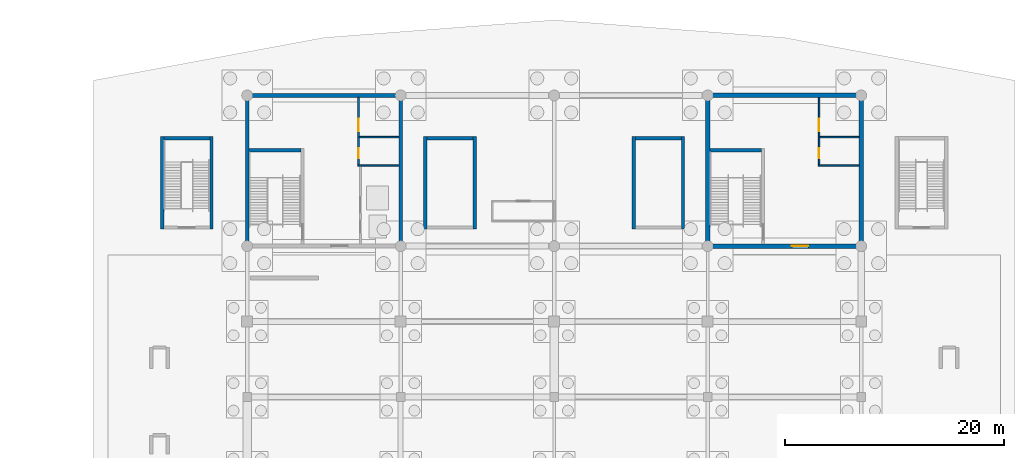
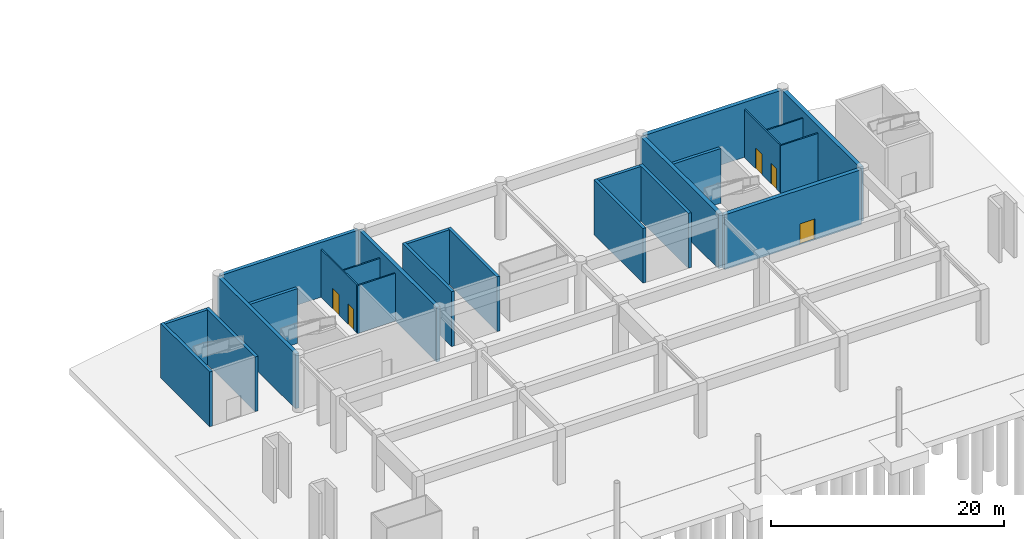
# One storey, part 49 of 62: 24 walls, 5 doors, 5 openings.
"""IFC4 building model written with IfcOpenShell, lengths in metres."""

from ifc_helpers import new_model, si_unit, direction, frame, frame_2d, origin, place, context, subcontext, project, spatial, rectangle, extrude, material, layer, layer_set, type_object, element, fill, save


model = new_model("IFC4")

# Units and contexts
model_context = context("Model", 3, precision=1e-05, world=origin(), true_north=direction((0.0, 1.0)))
body_context = subcontext(model_context, "Body", "Model", "MODEL_VIEW")
ifc_project = project(units=[si_unit("LENGTHUNIT", "METRE"), si_unit("AREAUNIT", "SQUARE_METRE"), si_unit("VOLUMEUNIT", "CUBIC_METRE"), si_unit("PLANEANGLEUNIT", "RADIAN"), si_unit("MASSUNIT", "GRAM", prefix="KILO")], contexts=[model_context])

# Site, building, storey
site_placement = place(None, origin())
site = spatial("IfcSite", under=ifc_project, at=site_placement, CompositionType="ELEMENT")
building_placement = place(site_placement, origin())
building = spatial("IfcBuilding", under=site, at=building_placement, Name="Linyun Crest Stadium", CompositionType="ELEMENT")
storey_placement = place(building_placement, frame((0.0, 0.0, -6.0)))
storey = spatial("IfcBuildingStorey", under=building, at=storey_placement, Name="B1", CompositionType="ELEMENT", Elevation=-6.0)

# Walls
ifc_material_1 = material(Name="Concrete C50", Category="concrete")
ifc_layer_1 = layer(ifc_material_1, 0.35009765625)
ifc_layer_set_1 = layer_set([ifc_layer_1], Name="Concrete C50")
wall_type_1 = type_object("IfcWallType", Name="CW01", PredefinedType="SHEAR", material=ifc_layer_set_1)
for number, where, z_axis, x_axis, name in (
    (1, (-28.0, 91.675048828125, 0.0), (0.0, 0.0, 1.0), (0.0, 1.0, 0.0), "Core shear wall CW01 CORE-N1 B1.1"),
    (2, (-14.0, 91.675048828125, 0.0), (0.0, 0.0, 1.0), (0.0, 1.0, 0.0), "Core shear wall CW01 CORE-N1 B1.2"),
):
    element("IfcWall", number, at=place(storey_placement, frame(where, z_axis=z_axis, x_axis=x_axis)), inside=storey, type_object=wall_type_1, Name=name, PredefinedType="SHEAR", context=body_context, shape_type="SweptSolid", body=[
        extrude(rectangle(XDim=13.39990234375, YDim=0.35009765625, at=frame_2d((6.699951171875, 0.0))), origin(), (0.0, 0.0, 1.0), 5.75),
    ])
wall_1_placement = place(storey_placement, frame((-27.824951171875, 105.25, 0.0), z_axis=(0.0, 0.0, 1.0), x_axis=(1.0, 0.0, 0.0)))
element("IfcWall", 3, at=wall_1_placement, inside=storey, type_object=wall_type_1, Name="Core shear wall CW01 CORE-N1 B1.4", PredefinedType="SHEAR", context=body_context, shape_type="SweptSolid", body=[
    extrude(rectangle(XDim=13.64990234375, YDim=0.35009765625, at=frame_2d((6.824951171875, 0.0))), origin(), (0.0, 0.0, 1.0), 5.75),
])
ifc_material_2 = material(Name="Concrete C50", Category="concrete")
ifc_layer_2 = layer(ifc_material_2, 0.39990234375)
ifc_layer_set_2 = layer_set([ifc_layer_2], Name="Concrete C50")
wall_type_2 = type_object("IfcWallType", Name="CW02", PredefinedType="SHEAR", material=ifc_layer_set_2)
for number, where, z_axis, x_axis, name in (
    (4, (14.0, 91.699951171875, 0.0), (0.0, 0.0, 1.0), (0.0, 1.0, 0.0), "Core shear wall CW02 CORE-N2 B1.1"),
    (5, (28.0, 91.699951171875, 0.0), (0.0, 0.0, 1.0), (0.0, 1.0, 0.0), "Core shear wall CW02 CORE-N2 B1.2"),
):
    element("IfcWall", number, at=place(storey_placement, frame(where, z_axis=z_axis, x_axis=x_axis)), inside=storey, type_object=wall_type_2, Name=name, PredefinedType="SHEAR", context=body_context, shape_type="SweptSolid", body=[
        extrude(rectangle(XDim=13.35009765625, YDim=0.39990234375, at=frame_2d((6.675048828125, 0.0))), origin(), (0.0, 0.0, 1.0), 5.75),
    ])

# Wall, opening, door
wall_2_placement = place(storey_placement, frame((14.199951171875, 91.5, 0.0), z_axis=(0.0, 0.0, 1.0), x_axis=(1.0, 0.0, 0.0)))
wall_2 = element("IfcWall", 6, at=wall_2_placement, inside=storey, type_object=wall_type_2, Name="Core shear wall CW02 CORE-N2 B1.3", PredefinedType="SHEAR", context=body_context, shape_type="SweptSolid", body=[
    extrude(rectangle(XDim=13.60009765625, YDim=0.39990234375, at=frame_2d((6.800048828125, 0.0))), origin(), (0.0, 0.0, 1.0), 5.75),
])
opening_1_placement = place(wall_2_placement, frame((7.47998046875, 0.0, 0.0)))
opening_1 = element("IfcOpeningElement", 7, at=opening_1_placement, cuts=wall_2, Name="Opening D-B1-292", PredefinedType="OPENING", context=body_context, shape_type="SweptSolid", body=[
    extrude(rectangle(XDim=1.5, YDim=2.199951171875, at=frame_2d((0.75, 1.10009765625))), frame((0.0, 0.2099609375, 0.0), z_axis=(0.0, -1.0, 0.0), x_axis=(1.0, 0.0, 0.0)), (0.0, 0.0, 1.0), 0.419921875),
])
ifc_material_3 = material(Name="Galvanized steel Class A fire door", Category="steel")
ifc_layer_3 = layer(ifc_material_3, 0.054931640625)
ifc_layer_set_3 = layer_set([ifc_layer_3], Name="Galvanized steel Class A fire door")
door_type_1 = type_object("IfcDoorType", Name="FD01", OperationType="NOTDEFINED", PredefinedType="DOOR", material=ifc_layer_set_3)
door_1_placement = place(opening_1_placement, origin())
door_1 = element("IfcDoor", 8, at=door_1_placement, inside=storey, type_object=door_type_1, Name="Door D-B1-292", OperationType="SINGLE_SWING_RIGHT", OverallHeight=2.199951171875, OverallWidth=1.5, PredefinedType="DOOR", context=body_context, shape_type="SweptSolid", body=[
    extrude(rectangle(XDim=1.5, YDim=2.199951171875, at=frame_2d((0.75, 1.10009765625))), frame((0.0, 0.02490234375, 0.0), z_axis=(0.0, -1.0, 0.0), x_axis=(1.0, 0.0, 0.0)), (0.0, 0.0, 1.0), 0.050048828125),
])
fill(opening_1, door_1)

# Wall
wall_3_placement = place(storey_placement, frame((14.199951171875, 105.25, 0.0), z_axis=(0.0, 0.0, 1.0), x_axis=(1.0, 0.0, 0.0)))
element("IfcWall", 9, at=wall_3_placement, inside=storey, type_object=wall_type_2, Name="Core shear wall CW02 CORE-N2 B1.4", PredefinedType="SHEAR", context=body_context, shape_type="SweptSolid", body=[
    extrude(rectangle(XDim=13.60009765625, YDim=0.39990234375, at=frame_2d((6.800048828125, 0.0))), origin(), (0.0, 0.0, 1.0), 5.75),
])

# Wall, openings, doors
ifc_material_4 = material(Name="Moisture-resistant ceramic-tiled wet-room wall")
ifc_layer_4 = layer(ifc_material_4, 0.139892578125)
ifc_layer_set_4 = layer_set([ifc_layer_4], Name="Moisture-resistant ceramic-tiled wet-room wall")
wall_type_3 = type_object("IfcWallType", Name="PW15", PredefinedType="PARTITIONING", material=ifc_layer_set_4)
wall_4_placement = place(storey_placement, frame((-17.85009765625, 98.919921875, 0.0), z_axis=(0.0, 0.0, 1.0), x_axis=(0.0, 1.0, 0.0)))
wall_4 = element("IfcWall", 10, at=wall_4_placement, inside=storey, type_object=wall_type_3, Name="Partition PW15 B1 94", PredefinedType="PARTITIONING", context=body_context, shape_type="SweptSolid", body=[
    extrude(rectangle(XDim=6.155029296875, YDim=0.139892578125, at=frame_2d((3.07763671875, 0.0))), origin(), (0.0, 0.0, 1.0), 5.02001953125),
])
opening_2_placement = place(wall_4_placement, frame((0.580078125, 0.0, 0.0)))
opening_2 = element("IfcOpeningElement", 11, at=opening_2_placement, cuts=wall_4, Name="Opening D-B1-260", PredefinedType="OPENING", context=body_context, shape_type="SweptSolid", body=[
    extrude(rectangle(XDim=0.949951171875, YDim=2.14990234375, at=frame_2d((0.47509765625, 1.074951171875))), frame((0.0, 0.079833984375, 0.0), z_axis=(0.0, -1.0, 0.0), x_axis=(1.0, 0.0, 0.0)), (0.0, 0.0, 1.0), 0.159912109375),
])
opening_3_placement = place(wall_4_placement, frame((3.080078125, 0.0, 0.0)))
opening_3 = element("IfcOpeningElement", 12, at=opening_3_placement, cuts=wall_4, Name="Opening D-B1-261", PredefinedType="OPENING", context=body_context, shape_type="SweptSolid", body=[
    extrude(rectangle(XDim=1.10009765625, YDim=2.14990234375, at=frame_2d((0.550048828125, 1.074951171875))), frame((0.0, 0.079833984375, 0.0), z_axis=(0.0, -1.0, 0.0), x_axis=(1.0, 0.0, 0.0)), (0.0, 0.0, 1.0), 0.159912109375),
])
ifc_material_5 = material(Name="Moisture-resistant laminate leaf")
ifc_layer_5 = layer(ifc_material_5, 0.044921875)
ifc_layer_set_5 = layer_set([ifc_layer_5], Name="Moisture-resistant laminate leaf")
door_type_2 = type_object("IfcDoorType", Name="ID02", OperationType="NOTDEFINED", PredefinedType="DOOR", material=ifc_layer_set_5)
door_2_placement = place(opening_2_placement, origin())
door_2 = element("IfcDoor", 13, at=door_2_placement, inside=storey, type_object=door_type_2, Name="Door D-B1-260", OperationType="SINGLE_SWING_RIGHT", OverallHeight=2.14990234375, OverallWidth=0.949951171875, PredefinedType="DOOR", context=body_context, shape_type="SweptSolid", body=[
    extrude(rectangle(XDim=0.949951171875, YDim=2.14990234375, at=frame_2d((0.47509765625, 1.074951171875))), frame((0.0, 0.02490234375, 0.0), z_axis=(0.0, -1.0, 0.0), x_axis=(1.0, 0.0, 0.0)), (0.0, 0.0, 1.0), 0.050048828125),
])
fill(opening_2, door_2)
ifc_material_6 = material(Name="Moisture-resistant laminate leaf")
ifc_layer_6 = layer(ifc_material_6, 0.044921875)
ifc_layer_set_6 = layer_set([ifc_layer_6], Name="Moisture-resistant laminate leaf")
door_type_3 = type_object("IfcDoorType", Name="ID03", OperationType="NOTDEFINED", PredefinedType="DOOR", material=ifc_layer_set_6)
door_3_placement = place(opening_3_placement, origin())
door_3 = element("IfcDoor", 14, at=door_3_placement, inside=storey, type_object=door_type_3, Name="Door D-B1-261", OperationType="SINGLE_SWING_LEFT", OverallHeight=2.14990234375, OverallWidth=1.10009765625, PredefinedType="DOOR", context=body_context, shape_type="SweptSolid", body=[
    extrude(rectangle(XDim=1.10009765625, YDim=2.14990234375, at=frame_2d((0.550048828125, 1.074951171875))), frame((0.0, 0.02490234375, 0.0), z_axis=(0.0, -1.0, 0.0), x_axis=(1.0, 0.0, 0.0)), (0.0, 0.0, 1.0), 0.050048828125),
])
fill(opening_3, door_3)

wall_5_placement = place(storey_placement, frame((24.14990234375, 98.919921875, 0.0), z_axis=(0.0, 0.0, 1.0), x_axis=(0.0, 1.0, 0.0)))
wall_5 = element("IfcWall", 15, at=wall_5_placement, inside=storey, type_object=wall_type_3, Name="Partition PW15 B1 105", PredefinedType="PARTITIONING", context=body_context, shape_type="SweptSolid", body=[
    extrude(rectangle(XDim=6.130126953125, YDim=0.139892578125, at=frame_2d((3.06494140625, 0.0))), origin(), (0.0, 0.0, 1.0), 5.02001953125),
])
opening_4_placement = place(wall_5_placement, frame((0.580078125, 0.0, 0.0)))
opening_4 = element("IfcOpeningElement", 16, at=opening_4_placement, cuts=wall_5, Name="Opening D-B1-294", PredefinedType="OPENING", context=body_context, shape_type="SweptSolid", body=[
    extrude(rectangle(XDim=0.949951171875, YDim=2.14990234375, at=frame_2d((0.47509765625, 1.074951171875))), frame((0.0, 0.079833984375, 0.0), z_axis=(0.0, -1.0, 0.0), x_axis=(1.0, 0.0, 0.0)), (0.0, 0.0, 1.0), 0.159912109375),
])
opening_5_placement = place(wall_5_placement, frame((3.080078125, 0.0, 0.0)))
opening_5 = element("IfcOpeningElement", 17, at=opening_5_placement, cuts=wall_5, Name="Opening D-B1-295", PredefinedType="OPENING", context=body_context, shape_type="SweptSolid", body=[
    extrude(rectangle(XDim=1.10009765625, YDim=2.14990234375, at=frame_2d((0.550048828125, 1.074951171875))), frame((0.0, 0.079833984375, 0.0), z_axis=(0.0, -1.0, 0.0), x_axis=(1.0, 0.0, 0.0)), (0.0, 0.0, 1.0), 0.159912109375),
])
door_4_placement = place(opening_4_placement, origin())
door_4 = element("IfcDoor", 18, at=door_4_placement, inside=storey, type_object=door_type_2, Name="Door D-B1-294", OperationType="SINGLE_SWING_RIGHT", OverallHeight=2.14990234375, OverallWidth=0.949951171875, PredefinedType="DOOR", context=body_context, shape_type="SweptSolid", body=[
    extrude(rectangle(XDim=0.949951171875, YDim=2.14990234375, at=frame_2d((0.47509765625, 1.074951171875))), frame((0.0, 0.02490234375, 0.0), z_axis=(0.0, -1.0, 0.0), x_axis=(1.0, 0.0, 0.0)), (0.0, 0.0, 1.0), 0.050048828125),
])
fill(opening_4, door_4)
door_5_placement = place(opening_5_placement, origin())
door_5 = element("IfcDoor", 19, at=door_5_placement, inside=storey, type_object=door_type_3, Name="Door D-B1-295", OperationType="SINGLE_SWING_LEFT", OverallHeight=2.14990234375, OverallWidth=1.10009765625, PredefinedType="DOOR", context=body_context, shape_type="SweptSolid", body=[
    extrude(rectangle(XDim=1.10009765625, YDim=2.14990234375, at=frame_2d((0.550048828125, 1.074951171875))), frame((0.0, 0.02490234375, 0.0), z_axis=(0.0, -1.0, 0.0), x_axis=(1.0, 0.0, 0.0)), (0.0, 0.0, 1.0), 0.050048828125),
])
fill(opening_5, door_5)

# Walls
wall_6_placement = place(storey_placement, frame((-17.919921875, 98.85009765625, 0.0), z_axis=(0.0, 0.0, 1.0), x_axis=(1.0, 0.0, 0.0)))
element("IfcWall", 20, at=wall_6_placement, inside=storey, type_object=wall_type_3, Name="Enclosure partition PW15 B1 79", PredefinedType="PARTITIONING", context=body_context, shape_type="SweptSolid", body=[
    extrude(rectangle(XDim=3.744873046875, YDim=0.139892578125, at=frame_2d((1.87255859375, 0.0))), origin(), (0.0, 0.0, 1.0), 5.02001953125),
])
wall_7_placement = place(storey_placement, frame((-17.780029296875, 101.449951171875, 0.0), z_axis=(0.0, 0.0, 1.0), x_axis=(1.0, 0.0, 0.0)))
element("IfcWall", 21, at=wall_7_placement, inside=storey, type_object=wall_type_3, Name="Enclosure partition PW15 B1 80", PredefinedType="PARTITIONING", context=body_context, shape_type="SweptSolid", body=[
    extrude(rectangle(XDim=3.60498046875, YDim=0.139892578125, at=frame_2d((1.802490234375, 0.0))), origin(), (0.0, 0.0, 1.0), 5.02001953125),
])
wall_8_placement = place(storey_placement, frame((24.080078125, 98.85009765625, 0.0), z_axis=(0.0, 0.0, 1.0), x_axis=(1.0, 0.0, 0.0)))
element("IfcWall", 22, at=wall_8_placement, inside=storey, type_object=wall_type_3, Name="Enclosure partition PW15 B1 91", PredefinedType="PARTITIONING", context=body_context, shape_type="SweptSolid", body=[
    extrude(rectangle(XDim=3.719970703125, YDim=0.139892578125, at=frame_2d((1.85986328125, 0.0))), origin(), (0.0, 0.0, 1.0), 5.02001953125),
])
wall_9_placement = place(storey_placement, frame((24.219970703125, 101.449951171875, 0.0), z_axis=(0.0, 0.0, 1.0), x_axis=(1.0, 0.0, 0.0)))
element("IfcWall", 23, at=wall_9_placement, inside=storey, type_object=wall_type_3, Name="Enclosure partition PW15 B1 92", PredefinedType="PARTITIONING", context=body_context, shape_type="SweptSolid", body=[
    extrude(rectangle(XDim=3.580078125, YDim=0.139892578125, at=frame_2d((1.7900390625, 0.0))), origin(), (0.0, 0.0, 1.0), 5.02001953125),
])
ifc_material_7 = material(Name="Concrete C50", Category="concrete")
ifc_layer_7 = layer(ifc_material_7, 0.300048828125)
ifc_layer_set_7 = layer_set([ifc_layer_7], Name="Concrete C50")
wall_type_4 = type_object("IfcWallType", Name="SW01", PredefinedType="SHEAR", material=ifc_layer_set_7)
wall_10_placement = place(storey_placement, frame((-27.824951171875, 100.25, 0.0), z_axis=(0.0, 0.0, 1.0), x_axis=(1.0, 0.0, 0.0)))
element("IfcWall", 24, at=wall_10_placement, inside=storey, type_object=wall_type_4, Name="Core stair bearing wall SW01 7 B1", PredefinedType="SHEAR", context=body_context, shape_type="SweptSolid", body=[
    extrude(rectangle(XDim=4.724853515625, YDim=0.300048828125, at=frame_2d((2.3623046875, 0.0))), origin(), (0.0, 0.0, 1.0), 5.75),
])
wall_11_placement = place(storey_placement, frame((14.199951171875, 100.25, 0.0), z_axis=(0.0, 0.0, 1.0), x_axis=(1.0, 0.0, 0.0)))
element("IfcWall", 25, at=wall_11_placement, inside=storey, type_object=wall_type_4, Name="Core stair bearing wall SW01 8 B1", PredefinedType="SHEAR", context=body_context, shape_type="SweptSolid", body=[
    extrude(rectangle(XDim=4.699951171875, YDim=0.300048828125, at=frame_2d((2.35009765625, 0.0))), origin(), (0.0, 0.0, 1.0), 5.75),
])
wall_12_placement = place(storey_placement, frame((-35.60009765625, 101.35009765625, 0.0), z_axis=(0.0, 0.0, 1.0), x_axis=(1.0, 0.0, 0.0)))
element("IfcWall", 26, at=wall_12_placement, inside=storey, type_object=wall_type_4, Name="Stair shaft wall SW01 STR-23 B1 N", PredefinedType="SHEAR", context=body_context, shape_type="SweptSolid", body=[
    extrude(rectangle(XDim=4.2001953125, YDim=0.300048828125, at=frame_2d((2.10009765625, 0.0))), origin(), (0.0, 0.0, 1.0), 5.75),
])
for number, where, z_axis, x_axis, name in (
    (27, (-35.75, 93.050048828125, 0.0), (0.0, 0.0, 1.0), (0.0, 1.0, 0.0), "Stair shaft wall SW01 STR-23 B1 W"),
    (28, (-31.25, 93.050048828125, 0.0), (0.0, 0.0, 1.0), (0.0, 1.0, 0.0), "Stair shaft wall SW01 STR-23 B1 E"),
):
    element("IfcWall", number, at=place(storey_placement, frame(where, z_axis=z_axis, x_axis=x_axis)), inside=storey, type_object=wall_type_4, Name=name, PredefinedType="SHEAR", context=body_context, shape_type="SweptSolid", body=[
        extrude(rectangle(XDim=8.449951171875, YDim=0.300048828125, at=frame_2d((4.22509765625, 0.0))), origin(), (0.0, 0.0, 1.0), 5.75),
    ])
wall_13_placement = place(storey_placement, frame((-11.60009765625, 101.35009765625, 0.0), z_axis=(0.0, 0.0, 1.0), x_axis=(1.0, 0.0, 0.0)))
element("IfcWall", 29, at=wall_13_placement, inside=storey, type_object=wall_type_4, Name="Stair shaft wall SW01 STR-24 B1 N", PredefinedType="SHEAR", context=body_context, shape_type="SweptSolid", body=[
    extrude(rectangle(XDim=4.2001953125, YDim=0.300048828125, at=frame_2d((2.10009765625, 0.0))), origin(), (0.0, 0.0, 1.0), 5.75),
])
for number, where, z_axis, x_axis, name in (
    (30, (-11.75, 93.050048828125, 0.0), (0.0, 0.0, 1.0), (0.0, 1.0, 0.0), "Stair shaft wall SW01 STR-24 B1 W"),
    (31, (-7.25, 93.050048828125, 0.0), (0.0, 0.0, 1.0), (0.0, 1.0, 0.0), "Stair shaft wall SW01 STR-24 B1 E"),
):
    element("IfcWall", number, at=place(storey_placement, frame(where, z_axis=z_axis, x_axis=x_axis)), inside=storey, type_object=wall_type_4, Name=name, PredefinedType="SHEAR", context=body_context, shape_type="SweptSolid", body=[
        extrude(rectangle(XDim=8.449951171875, YDim=0.300048828125, at=frame_2d((4.22509765625, 0.0))), origin(), (0.0, 0.0, 1.0), 5.75),
    ])
wall_14_placement = place(storey_placement, frame((7.39990234375, 101.35009765625, 0.0), z_axis=(0.0, 0.0, 1.0), x_axis=(1.0, 0.0, 0.0)))
element("IfcWall", 32, at=wall_14_placement, inside=storey, type_object=wall_type_4, Name="Stair shaft wall SW01 STR-25 B1 N", PredefinedType="SHEAR", context=body_context, shape_type="SweptSolid", body=[
    extrude(rectangle(XDim=4.2001953125, YDim=0.300048828125, at=frame_2d((2.10009765625, 0.0))), origin(), (0.0, 0.0, 1.0), 5.75),
])
for number, where, z_axis, x_axis, name in (
    (33, (7.25, 93.050048828125, 0.0), (0.0, 0.0, 1.0), (0.0, 1.0, 0.0), "Stair shaft wall SW01 STR-25 B1 W"),
    (34, (11.75, 93.050048828125, 0.0), (0.0, 0.0, 1.0), (0.0, 1.0, 0.0), "Stair shaft wall SW01 STR-25 B1 E"),
):
    element("IfcWall", number, at=place(storey_placement, frame(where, z_axis=z_axis, x_axis=x_axis)), inside=storey, type_object=wall_type_4, Name=name, PredefinedType="SHEAR", context=body_context, shape_type="SweptSolid", body=[
        extrude(rectangle(XDim=8.449951171875, YDim=0.300048828125, at=frame_2d((4.22509765625, 0.0))), origin(), (0.0, 0.0, 1.0), 5.75),
    ])

save(model, "model.ifc")
